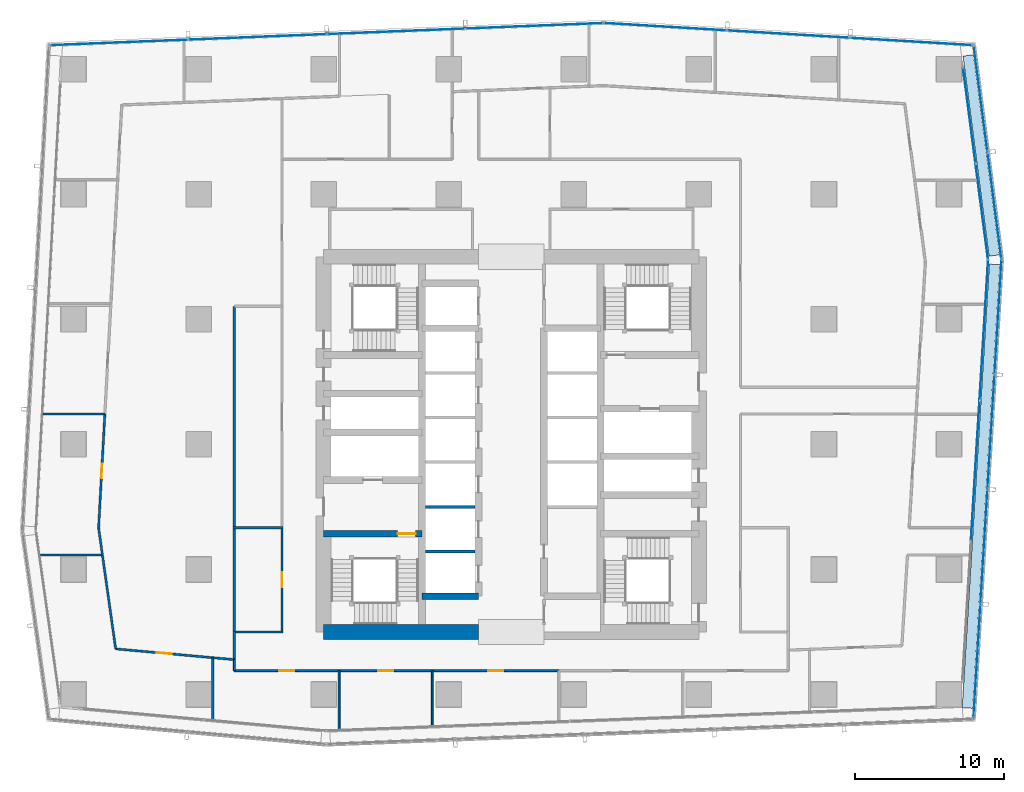
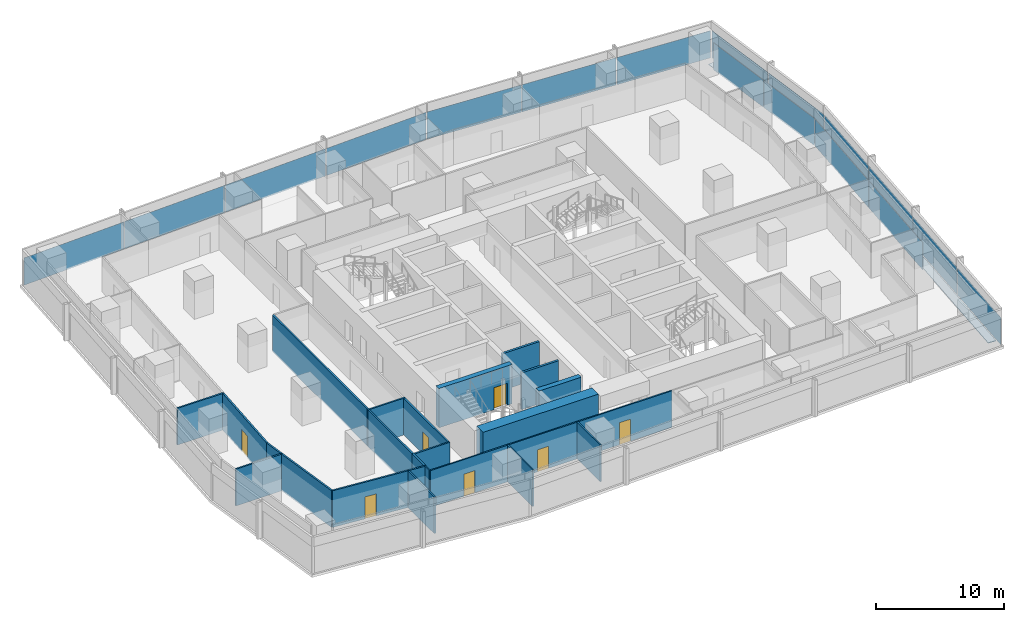
# One storey, part 28 of 40: 25 walls, 19 plates, 7 doors, 7 openings, 6 elements without a shape of their own.
"""IFC4 building model written with IfcOpenShell, lengths in metres."""

from ifc_helpers import new_model, si_unit, direction, frame, frame_2d, origin, origin_2d, place, context, subcontext, project, spatial, rectangle, extrude, material, layer, layer_set, type_object, element, fill, aggregate, save


model = new_model("IFC4")

# Units and contexts
model_context = context("Model", 3, precision=1e-05, world=origin(), true_north=direction((0.0, 1.0)))
body_context = subcontext(model_context, "Body", "Model", "MODEL_VIEW")
ifc_project = project(units=[si_unit("LENGTHUNIT", "METRE"), si_unit("AREAUNIT", "SQUARE_METRE"), si_unit("VOLUMEUNIT", "CUBIC_METRE"), si_unit("PLANEANGLEUNIT", "RADIAN"), si_unit("MASSUNIT", "GRAM", prefix="KILO")], contexts=[model_context])

# Site, building, storey
site_placement = place(None, origin())
site = spatial("IfcSite", under=ifc_project, at=site_placement, CompositionType="ELEMENT")
building_placement = place(site_placement, origin())
building = spatial("IfcBuilding", under=site, at=building_placement, Name="Rekha Terrace Tower", CompositionType="ELEMENT")
storey_placement = place(building_placement, frame((0.0, 0.0, 125.300048828125)))
storey = spatial("IfcBuildingStorey", under=building, at=storey_placement, Name="L31", CompositionType="ELEMENT", Elevation=125.300048828125)

# Curtain wall, plates
ifc_material_1 = material(Name="Aluminium framing", Category="aluminium")
curtain_wall_type_1 = type_object("IfcCurtainWallType", Name="CW1 double skin inner glazing", PredefinedType="USERDEFINED", material=ifc_material_1)
curtain_wall_1_placement = place(storey_placement, origin())
curtain_wall_1 = element("IfcCurtainWall", 1, at=curtain_wall_1_placement, inside=storey, type_object=curtain_wall_type_1, Name="CW1 double skin inner glazing", ObjectType="DOUBLE SKIN INNER GLAZING", PredefinedType="USERDEFINED")
ifc_material_2 = material(Name="Double-glazed low-e unit 32", Category="glass")
ifc_layer_1 = layer(ifc_material_2, 0.031982421875)
ifc_layer_set_1 = layer_set([ifc_layer_1], Name="Double-glazed low-e unit 32")
plate_type_1 = type_object("IfcPlateType", Name="CW1 jumbo vision panel, double-glazed low-e unit 32", PredefinedType="CURTAIN_PANEL", material=ifc_layer_set_1)
plate_1_placement = place(storey_placement, frame((68.968505859375, 31.8193359375, 0.0), z_axis=(0.0, 0.0, 1.0), x_axis=(0.061159803131, 0.998127987024, 0.0)))
plate_1 = element("IfcPlate", 2, at=plate_1_placement, type_object=plate_type_1, Name="CW1 panel 2.1", PredefinedType="CURTAIN_PANEL", context=body_context, shape_type="SweptSolid", body=[
    extrude(rectangle(XDim=9.3876953125, YDim=0.031982421875, at=origin_2d()), origin(), (0.0, 0.0, 1.0), 2.60009765625),
])
plate_2_placement = place(storey_placement, frame((69.547607421875, 41.2705078125, 0.0), z_axis=(0.0, 0.0, 1.0), x_axis=(0.061159803131, 0.998127987024, 0.0)))
plate_2 = element("IfcPlate", 3, at=plate_2_placement, type_object=plate_type_1, Name="CW1 panel 3.1", PredefinedType="CURTAIN_PANEL", context=body_context, shape_type="SweptSolid", body=[
    extrude(rectangle(XDim=9.420166015625, YDim=0.031982421875, at=origin_2d()), origin(), (0.0, 0.0, 1.0), 2.60009765625),
])
aggregate(curtain_wall_1, [plate_1, plate_2])

curtain_wall_2_placement = place(storey_placement, origin())
curtain_wall_2 = element("IfcCurtainWall", 4, at=curtain_wall_2_placement, inside=storey, type_object=curtain_wall_type_1, Name="CW1 double skin inner glazing", ObjectType="DOUBLE SKIN INNER GLAZING", PredefinedType="USERDEFINED")
plate_3_placement = place(storey_placement, frame((69.411376953125, 49.230712890625, 0.0), z_axis=(0.0, 0.0, 1.0), x_axis=(-0.129118383675, 0.991629186237, 0.0)))
plate_3 = element("IfcPlate", 5, at=plate_3_placement, type_object=plate_type_1, Name="CW1 panel 1.1", PredefinedType="CURTAIN_PANEL", context=body_context, shape_type="SweptSolid", body=[
    extrude(rectangle(XDim=6.443115234375, YDim=0.031982421875, at=origin_2d()), origin(), (0.0, 0.0, 1.0), 2.60009765625),
])
plate_4_placement = place(storey_placement, frame((68.571044921875, 55.68408203125, 0.0), z_axis=(0.0, 0.0, 1.0), x_axis=(-0.129118383675, 0.991629186237, 0.0)))
plate_4 = element("IfcPlate", 6, at=plate_4_placement, type_object=plate_type_1, Name="CW1 panel 2.1", PredefinedType="CURTAIN_PANEL", context=body_context, shape_type="SweptSolid", body=[
    extrude(rectangle(XDim=6.443115234375, YDim=0.031982421875, at=origin_2d()), origin(), (0.0, 0.0, 1.0), 2.60009765625),
])
aggregate(curtain_wall_2, [plate_3, plate_4])

curtain_wall_type_2 = type_object("IfcCurtainWallType", Name="CW2 double skin outer glazing", PredefinedType="USERDEFINED", material=ifc_material_1)
curtain_wall_3_placement = place(storey_placement, origin())
curtain_wall_3 = element("IfcCurtainWall", 7, at=curtain_wall_3_placement, inside=storey, type_object=curtain_wall_type_2, Name="CW2 double skin outer glazing", ObjectType="DOUBLE SKIN OUTER GLAZING", PredefinedType="USERDEFINED")
ifc_material_3 = material(Name="Toughened single glazing 12", Category="glass")
ifc_layer_2 = layer(ifc_material_3, 0.011962890625)
ifc_layer_set_2 = layer_set([ifc_layer_2], Name="Toughened single glazing 12")
plate_type_2 = type_object("IfcPlateType", Name="CW2 jumbo vision panel, toughened single glazing 12", PredefinedType="CURTAIN_PANEL", material=ifc_layer_set_2)
plate_5_placement = place(storey_placement, frame((69.086669921875, 19.0302734375, 0.0), z_axis=(0.0, 0.0, 1.0), x_axis=(0.061159803131, 0.998127987024, 0.0)))
plate_5 = element("IfcPlate", 8, at=plate_5_placement, type_object=plate_type_2, Name="CW2 panel 1.1", PredefinedType="CURTAIN_PANEL", context=body_context, shape_type="SweptSolid", body=[
    extrude(rectangle(XDim=7.6064453125, YDim=0.011962890625, at=origin_2d()), origin(), (0.0, 0.0, 1.0), 2.60009765625),
])
plate_6_placement = place(storey_placement, frame((69.557861328125, 26.722412109375, 0.0), z_axis=(0.0, 0.0, 1.0), x_axis=(0.061159803131, 0.998127987024, 0.0)))
plate_6 = element("IfcPlate", 9, at=plate_6_placement, type_object=plate_type_2, Name="CW2 panel 2.1", PredefinedType="CURTAIN_PANEL", context=body_context, shape_type="SweptSolid", body=[
    extrude(rectangle(XDim=7.646484375, YDim=0.011962890625, at=origin_2d()), origin(), (0.0, 0.0, 1.0), 2.60009765625),
])
plate_7_placement = place(storey_placement, frame((70.030517578125, 34.434326171875, 0.0), z_axis=(0.0, 0.0, 1.0), x_axis=(0.061159803131, 0.998127987024, 0.0)))
plate_7 = element("IfcPlate", 10, at=plate_7_placement, type_object=plate_type_2, Name="CW2 panel 3.1", PredefinedType="CURTAIN_PANEL", context=body_context, shape_type="SweptSolid", body=[
    extrude(rectangle(XDim=7.646484375, YDim=0.011962890625, at=origin_2d()), origin(), (0.0, 0.0, 1.0), 2.60009765625),
])
plate_8_placement = place(storey_placement, frame((70.50439453125, 42.16650390625, 0.0), z_axis=(0.0, 0.0, 1.0), x_axis=(0.061159803131, 0.998127987024, 0.0)))
plate_8 = element("IfcPlate", 11, at=plate_8_placement, type_object=plate_type_2, Name="CW2 panel 4.1", PredefinedType="CURTAIN_PANEL", context=body_context, shape_type="SweptSolid", body=[
    extrude(rectangle(XDim=7.6865234375, YDim=0.011962890625, at=origin_2d()), origin(), (0.0, 0.0, 1.0), 2.60009765625),
])
aggregate(curtain_wall_3, [plate_5, plate_6, plate_7, plate_8])

curtain_wall_4_placement = place(storey_placement, origin())
curtain_wall_4 = element("IfcCurtainWall", 12, at=curtain_wall_4_placement, inside=storey, type_object=curtain_wall_type_2, Name="CW2 double skin outer glazing", ObjectType="DOUBLE SKIN OUTER GLAZING", PredefinedType="USERDEFINED")
plate_9_placement = place(storey_placement, frame((70.2666015625, 49.6337890625, 0.0), z_axis=(0.0, 0.0, 1.0), x_axis=(-0.129118383623, 0.991629186244, 0.0)))
plate_9 = element("IfcPlate", 13, at=plate_9_placement, type_object=plate_type_2, Name="CW2 panel 1.1", PredefinedType="CURTAIN_PANEL", context=body_context, shape_type="SweptSolid", body=[
    extrude(rectangle(XDim=7.163818359375, YDim=0.011962890625, at=origin_2d()), origin(), (0.0, 0.0, 1.0), 2.60009765625),
])
plate_10_placement = place(storey_placement, frame((69.331298828125, 56.81689453125, 0.0), z_axis=(0.0, 0.0, 1.0), x_axis=(-0.129118383623, 0.991629186244, 0.0)))
plate_10 = element("IfcPlate", 14, at=plate_10_placement, type_object=plate_type_2, Name="CW2 panel 2.1", PredefinedType="CURTAIN_PANEL", context=body_context, shape_type="SweptSolid", body=[
    extrude(rectangle(XDim=7.163818359375, YDim=0.011962890625, at=origin_2d()), origin(), (0.0, 0.0, 1.0), 2.60009765625),
])
aggregate(curtain_wall_4, [plate_9, plate_10])

curtain_wall_type_3 = type_object("IfcCurtainWallType", Name="CW3 north unitised glazing", PredefinedType="USERDEFINED", material=ifc_material_1)
curtain_wall_5_placement = place(storey_placement, origin())
curtain_wall_5 = element("IfcCurtainWall", 15, at=curtain_wall_5_placement, inside=storey, type_object=curtain_wall_type_3, Name="CW3 unitised curtain wall", ObjectType="UNITISED CURTAIN WALL", PredefinedType="USERDEFINED")
ifc_material_4 = material(Name="Double-glazed unit 28", Category="glass")
ifc_layer_3 = layer(ifc_material_4, 0.028076171875)
ifc_layer_set_3 = layer_set([ifc_layer_3], Name="Double-glazed unit 28")
plate_type_3 = type_object("IfcPlateType", Name="CW3 jumbo vision panel, double-glazed unit 28", PredefinedType="CURTAIN_PANEL", material=ifc_layer_set_3)
plate_11_placement = place(storey_placement, frame((64.6748046875, 60.65966796875, 0.0), z_axis=(0.0, 0.0, 1.0), x_axis=(-0.998199102701, 0.059987926837, 0.0)))
plate_11 = element("IfcPlate", 16, at=plate_11_placement, type_object=plate_type_3, Name="CW3 panel 1.1", PredefinedType="CURTAIN_PANEL", context=body_context, shape_type="SweptSolid", body=[
    extrude(rectangle(XDim=8.171630859375, YDim=0.028076171875, at=origin_2d()), origin(), (0.0, 0.0, 1.0), 2.60009765625),
])
plate_12_placement = place(storey_placement, frame((56.430419921875, 61.155029296875, 0.0), z_axis=(0.0, 0.0, 1.0), x_axis=(-0.998199102701, 0.059987926837, 0.0)))
plate_12 = element("IfcPlate", 17, at=plate_12_placement, type_object=plate_type_3, Name="CW3 panel 2.1", PredefinedType="CURTAIN_PANEL", context=body_context, shape_type="SweptSolid", body=[
    extrude(rectangle(XDim=8.20654296875, YDim=0.028076171875, at=origin_2d()), origin(), (0.0, 0.0, 1.0), 2.60009765625),
])
plate_13_placement = place(storey_placement, frame((48.1513671875, 61.652587890625, 0.0), z_axis=(0.0, 0.0, 1.0), x_axis=(-0.998199102701, 0.059987926837, 0.0)))
plate_13 = element("IfcPlate", 18, at=plate_13_placement, type_object=plate_type_3, Name="CW3 panel 3.1", PredefinedType="CURTAIN_PANEL", context=body_context, shape_type="SweptSolid", body=[
    extrude(rectangle(XDim=8.24169921875, YDim=0.028076171875, at=origin_2d()), origin(), (0.0, 0.0, 1.0), 2.60009765625),
])
aggregate(curtain_wall_5, [plate_11, plate_12, plate_13])

curtain_wall_6_placement = place(storey_placement, origin())
curtain_wall_6 = element("IfcCurtainWall", 19, at=curtain_wall_6_placement, inside=storey, type_object=curtain_wall_type_3, Name="CW3 unitised curtain wall", ObjectType="UNITISED CURTAIN WALL", PredefinedType="USERDEFINED")
plate_14_placement = place(storey_placement, frame((39.364501953125, 61.71240234375, 0.0), z_axis=(0.0, 0.0, 1.0), x_axis=(-0.999198398721, -0.040031987119, 0.0)))
plate_14 = element("IfcPlate", 20, at=plate_14_placement, type_object=plate_type_3, Name="CW3 panel 1.1", PredefinedType="CURTAIN_PANEL", context=body_context, shape_type="SweptSolid", body=[
    extrude(rectangle(XDim=9.214599609375, YDim=0.028076171875, at=origin_2d()), origin(), (0.0, 0.0, 1.0), 2.60009765625),
])
plate_15_placement = place(storey_placement, frame((30.06982421875, 61.340087890625, 0.0), z_axis=(0.0, 0.0, 1.0), x_axis=(-0.999198398721, -0.040031987119, 0.0)))
plate_15 = element("IfcPlate", 21, at=plate_15_placement, type_object=plate_type_3, Name="CW3 panel 2.1", PredefinedType="CURTAIN_PANEL", context=body_context, shape_type="SweptSolid", body=[
    extrude(rectangle(XDim=9.24951171875, YDim=0.028076171875, at=origin_2d()), origin(), (0.0, 0.0, 1.0), 2.60009765625),
])
plate_16_placement = place(storey_placement, frame((20.7578125, 60.967041015625, 0.0), z_axis=(0.0, 0.0, 1.0), x_axis=(-0.999198398721, -0.040031987119, 0.0)))
plate_16 = element("IfcPlate", 22, at=plate_16_placement, type_object=plate_type_3, Name="CW3 panel 3.1", PredefinedType="CURTAIN_PANEL", context=body_context, shape_type="SweptSolid", body=[
    extrude(rectangle(XDim=9.24951171875, YDim=0.028076171875, at=origin_2d()), origin(), (0.0, 0.0, 1.0), 2.60009765625),
])
plate_17_placement = place(storey_placement, frame((11.46337890625, 60.5947265625, 0.0), z_axis=(0.0, 0.0, 1.0), x_axis=(-0.999198398721, -0.040031987119, 0.0)))
plate_17 = element("IfcPlate", 23, at=plate_17_placement, type_object=plate_type_3, Name="CW3 panel 4.1", PredefinedType="CURTAIN_PANEL", context=body_context, shape_type="SweptSolid", body=[
    extrude(rectangle(XDim=9.214599609375, YDim=0.028076171875, at=origin_2d()), origin(), (0.0, 0.0, 1.0), 2.60009765625),
])
aggregate(curtain_wall_6, [plate_14, plate_15, plate_16, plate_17])

# Plates
ifc_material_5 = material(Name="Galvanised steel open grating", Category="steel")
ifc_layer_4 = layer(ifc_material_5, 0.050048828125)
ifc_layer_set_4 = layer_set([ifc_layer_4], Name="Galvanised steel open grating")
plate_type_4 = type_object("IfcPlateType", Name="GT1 cavity walkway grating 50", PredefinedType="USERDEFINED", material=ifc_layer_set_4)
plate_18_placement = place(storey_placement, frame((69.356201171875, 30.78759765625, 0.0), z_axis=(0.0, 0.0, 1.0), x_axis=(0.061159803131, 0.998127987024, 0.0)))
element("IfcPlate", 24, at=plate_18_placement, inside=storey, type_object=plate_type_4, Name="Cavity walkway grating", ObjectType="CAVITY WALKWAY GRATING", PredefinedType="USERDEFINED", context=body_context, shape_type="SweptSolid", body=[
    extrude(rectangle(XDim=29.85595703125, YDim=0.705078125, at=origin_2d()), origin(), (0.0, 0.0, 1.0), 0.050048828125),
])
plate_19_placement = place(storey_placement, frame((69.373779296875, 53.004150390625, 0.0), z_axis=(0.0, 0.0, 1.0), x_axis=(-0.129118383623, 0.991629186244, 0.0)))
element("IfcPlate", 25, at=plate_19_placement, inside=storey, type_object=plate_type_4, Name="Cavity walkway grating", ObjectType="CAVITY WALKWAY GRATING", PredefinedType="USERDEFINED", context=body_context, shape_type="SweptSolid", body=[
    extrude(rectangle(XDim=13.552734375, YDim=0.705078125, at=origin_2d()), origin(), (0.0, 0.0, 1.0), 0.050048828125),
])

# Wall
ifc_material_6 = material(Name="Concrete M70", Category="concrete")
ifc_layer_5 = layer(ifc_material_6, 0.449951171875)
ifc_layer_set_5 = layer_set([ifc_layer_5], Name="Concrete M70")
wall_type_1 = type_object("IfcWallType", Name="CI2 450 core internal shear wall", PredefinedType="SHEAR", material=ifc_layer_set_5)
wall_1_placement = place(storey_placement, frame((31.800048828125, 23.39990234375, 0.0), z_axis=(0.0, 0.0, 1.0), x_axis=(1.0, 0.0, 0.0)))
element("IfcWall", 26, at=wall_1_placement, inside=storey, type_object=wall_type_1, Name="Core wall Y234W L31", PredefinedType="SHEAR", context=body_context, shape_type="SweptSolid", body=[
    extrude(rectangle(XDim=3.800048828125, YDim=0.449951171875, at=frame_2d((1.89990234375, 0.0))), origin(), (0.0, 0.0, 1.0), 3.75),
])

# Wall, opening, door
wall_2_placement = place(storey_placement, frame((25.199951171875, 27.60009765625, 0.0), z_axis=(0.0, 0.0, 1.0), x_axis=(1.0, 0.0, 0.0)))
wall_2 = element("IfcWall", 27, at=wall_2_placement, inside=storey, type_object=wall_type_1, Name="Core wall Y276W L31", PredefinedType="SHEAR", context=body_context, shape_type="SweptSolid", body=[
    extrude(rectangle(XDim=6.60009765625, YDim=0.449951171875, at=frame_2d((3.300048828125, 0.0))), origin(), (0.0, 0.0, 1.0), 3.75),
])
opening_1_placement = place(wall_2_placement, frame((4.97509765625, 0.0, 0.0)))
opening_1 = element("IfcOpeningElement", 28, at=opening_1_placement, cuts=wall_2, Name="Opening D1", PredefinedType="OPENING", context=body_context, shape_type="SweptSolid", body=[
    extrude(rectangle(XDim=1.199951171875, YDim=2.10009765625, at=frame_2d((0.60009765625, 1.050048828125))), frame((0.0, 0.23486328125, 0.0), z_axis=(0.0, -1.0, 0.0), x_axis=(1.0, 0.0, 0.0)), (0.0, 0.0, 1.0), 0.469970703125),
])
ifc_material_7 = material(Name="Steel fire door", Category="steel")
door_type_1 = type_object("IfcDoorType", Name="D1 1200x2100 stair fire door", OperationType="SINGLE_SWING_RIGHT", PredefinedType="DOOR", material=ifc_material_7)
door_1_placement = place(opening_1_placement, origin())
door_1 = element("IfcDoor", 29, at=door_1_placement, inside=storey, type_object=door_type_1, Name="Stair ST1 door L31", OperationType="SINGLE_SWING_RIGHT", OverallHeight=2.10009765625, OverallWidth=1.199951171875, PredefinedType="DOOR", context=body_context, shape_type="SweptSolid", body=[
    extrude(rectangle(XDim=1.199951171875, YDim=2.10009765625, at=frame_2d((0.60009765625, 1.050048828125))), frame((0.0, 0.02490234375, 0.0), z_axis=(0.0, -1.0, 0.0), x_axis=(1.0, 0.0, 0.0)), (0.0, 0.0, 1.0), 0.050048828125),
])
fill(opening_1, door_1)

# Walls
ifc_layer_6 = layer(ifc_material_6, 1.0)
ifc_layer_set_6 = layer_set([ifc_layer_6], Name="Concrete M70")
wall_type_2 = type_object("IfcWallType", Name="SW2 1000 core outer shear wall", PredefinedType="SHEAR", material=ifc_layer_set_6)
wall_3_placement = place(storey_placement, frame((25.199951171875, 21.0, 0.0), z_axis=(0.0, 0.0, 1.0), x_axis=(1.0, 0.0, 0.0)))
element("IfcWall", 30, at=wall_3_placement, inside=storey, type_object=wall_type_2, Name="Core wall S1 L31", PredefinedType="SHEAR", context=body_context, shape_type="SweptSolid", body=[
    extrude(rectangle(XDim=10.400146484375, YDim=1.0, at=frame_2d((5.2001953125, 0.0))), origin(), (0.0, 0.0, 1.0), 3.75),
])
ifc_material_8 = material(Name="Concrete block masonry, 1 hour", Category="masonry")
ifc_layer_7 = layer(ifc_material_8, 0.14990234375)
ifc_layer_set_7 = layer_set([ifc_layer_7], Name="Concrete block masonry, 1 hour")
wall_type_3 = type_object("IfcWallType", Name="WP2 150 tenancy partition", PredefinedType="PARTITIONING", material=ifc_layer_set_7)
for number, where, z_axis, x_axis, name in (
    (31, (19.125, 21.0, 0.0), (0.0, 0.0, 1.0), (1.0, 0.0, 0.0), "Men's WC wall L31"),
    (32, (19.125, 28.0, 0.0), (0.0, 0.0, 1.0), (1.0, 0.0, 0.0), "Men's WC wall L31"),
):
    element("IfcWall", number, at=place(storey_placement, frame(where, z_axis=z_axis, x_axis=x_axis)), inside=storey, type_object=wall_type_3, Name=name, PredefinedType="PARTITIONING", context=body_context, shape_type="SweptSolid", body=[
        extrude(rectangle(XDim=3.35009765625, YDim=0.14990234375, at=frame_2d((1.675048828125, 0.0))), origin(), (0.0, 0.0, 1.0), 3.5),
    ])
wall_4_placement = place(storey_placement, frame((19.199951171875, 21.074951171875, 0.0), z_axis=(0.0, 0.0, 1.0), x_axis=(0.0, 1.0, 0.0)))
element("IfcWall", 33, at=wall_4_placement, inside=storey, type_object=wall_type_3, Name="Men's WC wall L31", PredefinedType="PARTITIONING", context=body_context, shape_type="SweptSolid", body=[
    extrude(rectangle(XDim=6.85009765625, YDim=0.14990234375, at=frame_2d((3.425048828125, 0.0))), origin(), (0.0, 0.0, 1.0), 3.5),
])

# Wall, opening, door
wall_5_placement = place(storey_placement, frame((22.39990234375, 21.074951171875, 0.0), z_axis=(0.0, 0.0, 1.0), x_axis=(0.0, 1.0, 0.0)))
wall_5 = element("IfcWall", 34, at=wall_5_placement, inside=storey, type_object=wall_type_3, Name="Men's WC wall L31", PredefinedType="PARTITIONING", context=body_context, shape_type="SweptSolid", body=[
    extrude(rectangle(XDim=6.85009765625, YDim=0.14990234375, at=frame_2d((3.425048828125, 0.0))), origin(), (0.0, 0.0, 1.0), 3.5),
])
opening_2_placement = place(wall_5_placement, frame((2.925048828125, 0.0, 0.0)))
opening_2 = element("IfcOpeningElement", 35, at=opening_2_placement, cuts=wall_5, Name="Opening D3", PredefinedType="OPENING", context=body_context, shape_type="SweptSolid", body=[
    extrude(rectangle(XDim=1.0, YDim=2.10009765625, at=frame_2d((0.5, 1.050048828125))), frame((0.0, 0.0849609375, 0.0), z_axis=(0.0, -1.0, 0.0), x_axis=(1.0, 0.0, 0.0)), (0.0, 0.0, 1.0), 0.169921875),
])
ifc_material_9 = material(Name="Laminated timber fire door", Category="wood")
door_type_2 = type_object("IfcDoorType", Name="D3 1000x2100 WC door", OperationType="SINGLE_SWING_LEFT", PredefinedType="DOOR", material=ifc_material_9)
door_2_placement = place(opening_2_placement, origin())
door_2 = element("IfcDoor", 36, at=door_2_placement, inside=storey, type_object=door_type_2, Name="Door men's wc L31", OperationType="SINGLE_SWING_LEFT", OverallHeight=2.10009765625, OverallWidth=1.0, PredefinedType="DOOR", context=body_context, shape_type="SweptSolid", body=[
    extrude(rectangle(XDim=1.0, YDim=2.10009765625, at=frame_2d((0.5, 1.050048828125))), frame((0.0, 0.02490234375, 0.0), z_axis=(0.0, -1.0, 0.0), x_axis=(1.0, 0.0, 0.0)), (0.0, 0.0, 1.0), 0.050048828125),
])
fill(opening_2, door_2)

# Walls
wall_6_placement = place(storey_placement, frame((19.199951171875, 42.873046875, 0.0), z_axis=(0.0, 0.0, 1.0), x_axis=(0.0, -1.0, 0.0)))
element("IfcWall", 37, at=wall_6_placement, inside=storey, type_object=wall_type_3, Name="Partition L31-O1c", PredefinedType="PARTITIONING", context=body_context, shape_type="SweptSolid", body=[
    extrude(rectangle(XDim=14.947998046875, YDim=0.14990234375, at=frame_2d((7.47412109375, 0.0))), origin(), (0.0, 0.0, 1.0), 3.5),
])
wall_7_placement = place(storey_placement, frame((19.199951171875, 21.074951171875, 0.0), z_axis=(0.0, 0.0, 1.0), x_axis=(0.0, -1.0, 0.0)))
element("IfcWall", 38, at=wall_7_placement, inside=storey, type_object=wall_type_3, Name="Partition L31-O1c", PredefinedType="PARTITIONING", context=body_context, shape_type="SweptSolid", body=[
    extrude(rectangle(XDim=1.93701171875, YDim=0.14990234375, at=frame_2d((0.968505859375, 0.0))), origin(), (0.0, 0.0, 1.0), 3.5),
])
wall_8_placement = place(storey_placement, frame((19.199951171875, 19.137939453125, 0.0), z_axis=(0.0, 0.0, 1.0), x_axis=(-0.995920706464, 0.090232734836, 0.0)))
element("IfcWall", 39, at=wall_8_placement, inside=storey, type_object=wall_type_3, Name="Partition L31-O1c", PredefinedType="PARTITIONING", context=body_context, shape_type="SweptSolid", body=[
    extrude(rectangle(XDim=1.452880859375, YDim=0.14990234375, at=frame_2d((0.7265625, 0.0))), origin(), (0.0, 0.0, 1.0), 3.5),
])
wall_9_placement = place(storey_placement, frame((17.7529296875, 19.26904296875, 0.0), z_axis=(0.0, 0.0, 1.0), x_axis=(0.0, -1.0, 0.0)))
element("IfcWall", 40, at=wall_9_placement, inside=storey, type_object=wall_type_3, Name="Partition L31-O1c", PredefinedType="PARTITIONING", context=body_context, shape_type="SweptSolid", body=[
    extrude(rectangle(XDim=4.1669921875, YDim=0.14990234375, at=frame_2d((2.08349609375, 0.0))), origin(), (0.0, 0.0, 1.0), 3.5),
])

# Wall, opening, door
wall_10_placement = place(storey_placement, frame((17.751953125, 19.26904296875, 0.0), z_axis=(0.0, 0.0, 1.0), x_axis=(-0.995896565077, 0.090498793736, 0.0)))
wall_10 = element("IfcWall", 41, at=wall_10_placement, inside=storey, type_object=wall_type_3, Name="Partition L31-O1c", PredefinedType="PARTITIONING", context=body_context, shape_type="SweptSolid", body=[
    extrude(rectangle(XDim=6.552734375, YDim=0.14990234375, at=frame_2d((3.2763671875, 0.0))), origin(), (0.0, 0.0, 1.0), 3.5),
])
opening_3_placement = place(wall_10_placement, frame((2.77587890625, 0.0, 0.0)))
opening_3 = element("IfcOpeningElement", 42, at=opening_3_placement, cuts=wall_10, Name="Opening D9", PredefinedType="OPENING", context=body_context, shape_type="SweptSolid", body=[
    extrude(rectangle(XDim=1.0, YDim=2.10009765625, at=frame_2d((0.5, 1.050048828125))), frame((0.0, 0.0849609375, 0.0), z_axis=(0.0, -1.0, 0.0), x_axis=(1.0, 0.0, 0.0)), (0.0, 0.0, 1.0), 0.169921875),
])
ifc_material_10 = material(Name="Timber fire door", Category="wood")
door_type_3 = type_object("IfcDoorType", Name="D9 1000x2100 office door", OperationType="SINGLE_SWING_LEFT", PredefinedType="DOOR", material=ifc_material_10)
door_3_placement = place(opening_3_placement, origin())
door_3 = element("IfcDoor", 43, at=door_3_placement, inside=storey, type_object=door_type_3, Name="Door director's office L31", OperationType="SINGLE_SWING_LEFT", OverallHeight=2.10009765625, OverallWidth=1.0, PredefinedType="DOOR", context=body_context, shape_type="SweptSolid", body=[
    extrude(rectangle(XDim=1.0, YDim=2.10009765625, at=frame_2d((0.5, 1.050048828125))), frame((0.0, 0.02490234375, 0.0), z_axis=(0.0, -1.0, 0.0), x_axis=(1.0, 0.0, 0.0)), (0.0, 0.0, 1.0), 0.050048828125),
])
fill(opening_3, door_3)

# Walls
wall_11_placement = place(storey_placement, frame((11.22607421875, 19.862060546875, 0.0), z_axis=(0.0, 0.0, 1.0), x_axis=(-0.13959860056, 0.990208175447, 0.0)))
element("IfcWall", 44, at=wall_11_placement, inside=storey, type_object=wall_type_3, Name="Partition L31-O1c", PredefinedType="PARTITIONING", context=body_context, shape_type="SweptSolid", body=[
    extrude(rectangle(XDim=6.37646484375, YDim=0.14990234375, at=frame_2d((3.188232421875, 0.0))), origin(), (0.0, 0.0, 1.0), 3.5),
])
wall_12_placement = place(storey_placement, frame((10.3359375, 26.176025390625, 0.0), z_axis=(0.0, 0.0, 1.0), x_axis=(-1.0, 0.0, 0.0)))
element("IfcWall", 45, at=wall_12_placement, inside=storey, type_object=wall_type_3, Name="Partition L31-O1c", PredefinedType="PARTITIONING", context=body_context, shape_type="SweptSolid", body=[
    extrude(rectangle(XDim=4.19091796875, YDim=0.14990234375, at=frame_2d((2.095458984375, 0.0))), origin(), (0.0, 0.0, 1.0), 3.5),
])
wall_13_placement = place(storey_placement, frame((10.3359375, 26.177001953125, 0.0), z_axis=(0.0, 0.0, 1.0), x_axis=(-0.139520002301, 0.990219252973, 0.0)))
element("IfcWall", 46, at=wall_13_placement, inside=storey, type_object=wall_type_3, Name="Partition L31-O1c", PredefinedType="PARTITIONING", context=body_context, shape_type="SweptSolid", body=[
    extrude(rectangle(XDim=1.833740234375, YDim=0.14990234375, at=frame_2d((0.9169921875, 0.0))), origin(), (0.0, 0.0, 1.0), 3.5),
])

# Wall, opening, door
wall_14_placement = place(storey_placement, frame((10.080078125, 27.992919921875, 0.0), z_axis=(0.0, 0.0, 1.0), x_axis=(0.054745561338, 0.998500337263, 0.0)))
wall_14 = element("IfcWall", 47, at=wall_14_placement, inside=storey, type_object=wall_type_3, Name="Partition L31-O1c", PredefinedType="PARTITIONING", context=body_context, shape_type="SweptSolid", body=[
    extrude(rectangle(XDim=7.652587890625, YDim=0.14990234375, at=frame_2d((3.826171875, 0.0))), origin(), (0.0, 0.0, 1.0), 3.5),
])
opening_4_placement = place(wall_14_placement, frame((3.325927734375, 0.0, 0.0)))
opening_4 = element("IfcOpeningElement", 48, at=opening_4_placement, cuts=wall_14, Name="Opening D9", PredefinedType="OPENING", context=body_context, shape_type="SweptSolid", body=[
    extrude(rectangle(XDim=1.0, YDim=2.10009765625, at=frame_2d((0.5, 1.050048828125))), frame((0.0, 0.0849609375, 0.0), z_axis=(0.0, -1.0, 0.0), x_axis=(1.0, 0.0, 0.0)), (0.0, 0.0, 1.0), 0.169921875),
])
door_4_placement = place(opening_4_placement, origin())
door_4 = element("IfcDoor", 49, at=door_4_placement, inside=storey, type_object=door_type_3, Name="Door wellness room L31", OperationType="SINGLE_SWING_LEFT", OverallHeight=2.10009765625, OverallWidth=1.0, PredefinedType="DOOR", context=body_context, shape_type="SweptSolid", body=[
    extrude(rectangle(XDim=1.0, YDim=2.10009765625, at=frame_2d((0.5, 1.050048828125))), frame((0.0, 0.02490234375, 0.0), z_axis=(0.0, -1.0, 0.0), x_axis=(1.0, 0.0, 0.0)), (0.0, 0.0, 1.0), 0.050048828125),
])
fill(opening_4, door_4)

# Walls
wall_15_placement = place(storey_placement, frame((10.4990234375, 35.634033203125, 0.0), z_axis=(0.0, 0.0, 1.0), x_axis=(-1.0, 0.0, 0.0)))
element("IfcWall", 50, at=wall_15_placement, inside=storey, type_object=wall_type_3, Name="Partition L31-O1c", PredefinedType="PARTITIONING", context=body_context, shape_type="SweptSolid", body=[
    extrude(rectangle(XDim=4.156005859375, YDim=0.14990234375, at=frame_2d((2.078125, 0.0))), origin(), (0.0, 0.0, 1.0), 3.5),
])
ifc_material_11 = material(Name="Two layers of fire-rated gypsum board each side on steel studs, acoustic quilt, 1 hour", Category="steel")
ifc_layer_8 = layer(ifc_material_11, 0.125)
ifc_layer_set_8 = layer_set([ifc_layer_8], Name="Two layers of fire-rated gypsum board each side on steel studs, acoustic quilt, 1 hour")
wall_type_4 = type_object("IfcWallType", Name="WP3 125 office partition", PredefinedType="PARTITIONING", material=ifc_layer_set_8)
wall_16_placement = place(storey_placement, frame((19.199951171875, 19.137939453125, 0.0), z_axis=(0.0, 0.0, 1.0), x_axis=(0.0, -1.0, 0.0)))
element("IfcWall", 51, at=wall_16_placement, inside=storey, type_object=wall_type_4, Name="Partition L31-22", PredefinedType="PARTITIONING", context=body_context, shape_type="SweptSolid", body=[
    extrude(rectangle(XDim=0.738037109375, YDim=0.125, at=frame_2d((0.369140625, 0.0))), origin(), (0.0, 0.0, 1.0), 3.5),
])

# Wall, opening, door
wall_17_placement = place(storey_placement, frame((19.199951171875, 18.39990234375, 0.0), z_axis=(0.0, 0.0, 1.0), x_axis=(1.0, 0.0, 0.0)))
wall_17 = element("IfcWall", 52, at=wall_17_placement, inside=storey, type_object=wall_type_4, Name="Partition L31-22", PredefinedType="PARTITIONING", context=body_context, shape_type="SweptSolid", body=[
    extrude(rectangle(XDim=7.033935546875, YDim=0.125, at=frame_2d((3.51708984375, 0.0))), origin(), (0.0, 0.0, 1.0), 3.5),
])
opening_5_placement = place(wall_17_placement, frame((3.01708984375, 0.0, 0.0)))
opening_5 = element("IfcOpeningElement", 53, at=opening_5_placement, cuts=wall_17, Name="Opening D9", PredefinedType="OPENING", context=body_context, shape_type="SweptSolid", body=[
    extrude(rectangle(XDim=1.0, YDim=2.10009765625, at=frame_2d((0.5, 1.050048828125))), frame((0.0, 0.072509765625, 0.0), z_axis=(0.0, -1.0, 0.0), x_axis=(1.0, 0.0, 0.0)), (0.0, 0.0, 1.0), 0.14501953125),
])
door_5_placement = place(opening_5_placement, origin())
door_5 = element("IfcDoor", 54, at=door_5_placement, inside=storey, type_object=door_type_3, Name="Door office L31", OperationType="SINGLE_SWING_LEFT", OverallHeight=2.10009765625, OverallWidth=1.0, PredefinedType="DOOR", context=body_context, shape_type="SweptSolid", body=[
    extrude(rectangle(XDim=1.0, YDim=2.10009765625, at=frame_2d((0.5, 1.050048828125))), frame((0.0, 0.02490234375, 0.0), z_axis=(0.0, -1.0, 0.0), x_axis=(1.0, 0.0, 0.0)), (0.0, 0.0, 1.0), 0.050048828125),
])
fill(opening_5, door_5)

# Wall
wall_18_placement = place(storey_placement, frame((26.23388671875, 18.39990234375, 0.0), z_axis=(0.0, 0.0, 1.0), x_axis=(0.0, -1.0, 0.0)))
element("IfcWall", 55, at=wall_18_placement, inside=storey, type_object=wall_type_4, Name="Partition L31-22", PredefinedType="PARTITIONING", context=body_context, shape_type="SweptSolid", body=[
    extrude(rectangle(XDim=3.953857421875, YDim=0.125, at=frame_2d((1.97705078125, 0.0))), origin(), (0.0, 0.0, 1.0), 3.5),
])

# Wall, opening, door
wall_19_placement = place(storey_placement, frame((26.235107421875, 18.39990234375, 0.0), z_axis=(0.0, 0.0, 1.0), x_axis=(1.0, 0.0, 0.0)))
wall_19 = element("IfcWall", 56, at=wall_19_placement, inside=storey, type_object=wall_type_4, Name="Partition L31-23", PredefinedType="PARTITIONING", context=body_context, shape_type="SweptSolid", body=[
    extrude(rectangle(XDim=6.2587890625, YDim=0.125, at=frame_2d((3.12939453125, 0.0))), origin(), (0.0, 0.0, 1.0), 3.5),
])
opening_6_placement = place(wall_19_placement, frame((2.6298828125, 0.0, 0.0)))
opening_6 = element("IfcOpeningElement", 57, at=opening_6_placement, cuts=wall_19, Name="Opening D9", PredefinedType="OPENING", context=body_context, shape_type="SweptSolid", body=[
    extrude(rectangle(XDim=1.0, YDim=2.10009765625, at=frame_2d((0.5, 1.050048828125))), frame((0.0, 0.072509765625, 0.0), z_axis=(0.0, -1.0, 0.0), x_axis=(1.0, 0.0, 0.0)), (0.0, 0.0, 1.0), 0.14501953125),
])
door_6_placement = place(opening_6_placement, origin())
door_6 = element("IfcDoor", 58, at=door_6_placement, inside=storey, type_object=door_type_3, Name="Door reference library L31", OperationType="SINGLE_SWING_LEFT", OverallHeight=2.10009765625, OverallWidth=1.0, PredefinedType="DOOR", context=body_context, shape_type="SweptSolid", body=[
    extrude(rectangle(XDim=1.0, YDim=2.10009765625, at=frame_2d((0.5, 1.050048828125))), frame((0.0, 0.02490234375, 0.0), z_axis=(0.0, -1.0, 0.0), x_axis=(1.0, 0.0, 0.0)), (0.0, 0.0, 1.0), 0.050048828125),
])
fill(opening_6, door_6)

# Wall
wall_20_placement = place(storey_placement, frame((32.493896484375, 18.39990234375, 0.0), z_axis=(0.0, 0.0, 1.0), x_axis=(0.0, -1.0, 0.0)))
element("IfcWall", 59, at=wall_20_placement, inside=storey, type_object=wall_type_4, Name="Partition L31-23", PredefinedType="PARTITIONING", context=body_context, shape_type="SweptSolid", body=[
    extrude(rectangle(XDim=3.679931640625, YDim=0.125, at=frame_2d((1.83984375, 0.0))), origin(), (0.0, 0.0, 1.0), 3.5),
])

# Wall, opening, door
wall_21_placement = place(storey_placement, frame((32.4951171875, 18.39990234375, 0.0), z_axis=(0.0, 0.0, 1.0), x_axis=(1.0, 0.0, 0.0)))
wall_21 = element("IfcWall", 60, at=wall_21_placement, inside=storey, type_object=wall_type_4, Name="Partition L31-24", PredefinedType="PARTITIONING", context=body_context, shape_type="SweptSolid", body=[
    extrude(rectangle(XDim=8.505859375, YDim=0.125, at=frame_2d((4.2529296875, 0.0))), origin(), (0.0, 0.0, 1.0), 3.5),
])
opening_7_placement = place(wall_21_placement, frame((3.7529296875, 0.0, 0.0)))
opening_7 = element("IfcOpeningElement", 61, at=opening_7_placement, cuts=wall_21, Name="Opening D9", PredefinedType="OPENING", context=body_context, shape_type="SweptSolid", body=[
    extrude(rectangle(XDim=1.0, YDim=2.10009765625, at=frame_2d((0.5, 1.050048828125))), frame((0.0, 0.072509765625, 0.0), z_axis=(0.0, -1.0, 0.0), x_axis=(1.0, 0.0, 0.0)), (0.0, 0.0, 1.0), 0.14501953125),
])
door_7_placement = place(opening_7_placement, origin())
door_7 = element("IfcDoor", 62, at=door_7_placement, inside=storey, type_object=door_type_3, Name="Door breakout lounge L31", OperationType="SINGLE_SWING_LEFT", OverallHeight=2.10009765625, OverallWidth=1.0, PredefinedType="DOOR", context=body_context, shape_type="SweptSolid", body=[
    extrude(rectangle(XDim=1.0, YDim=2.10009765625, at=frame_2d((0.5, 1.050048828125))), frame((0.0, 0.02490234375, 0.0), z_axis=(0.0, -1.0, 0.0), x_axis=(1.0, 0.0, 0.0)), (0.0, 0.0, 1.0), 0.050048828125),
])
fill(opening_7, door_7)

# Walls
ifc_material_12 = material(Name="Solid concrete block masonry, 2 hour", Category="masonry")
ifc_layer_9 = layer(ifc_material_12, 0.199951171875)
ifc_layer_set_9 = layer_set([ifc_layer_9], Name="Solid concrete block masonry, 2 hour")
wall_type_5 = type_object("IfcWallType", Name="WS1 200 stair and shaft enclosure", PredefinedType="PARTITIONING", material=ifc_layer_set_9)
for number, where, z_axis, x_axis, name in (
    (63, (32.02490234375, 26.39990234375, 0.0), (0.0, 0.0, 1.0), (1.0, 0.0, 0.0), "Lift shaft divider L31"),
    (64, (32.02490234375, 29.39990234375, 0.0), (0.0, 0.0, 1.0), (1.0, 0.0, 0.0), "Lift shaft divider L31"),
):
    element("IfcWall", number, at=place(storey_placement, frame(where, z_axis=z_axis, x_axis=x_axis)), inside=storey, type_object=wall_type_5, Name=name, PredefinedType="PARTITIONING", context=body_context, shape_type="SweptSolid", body=[
        extrude(rectangle(XDim=3.35009765625, YDim=0.199951171875, at=frame_2d((1.675048828125, 0.0))), origin(), (0.0, 0.0, 1.0), 3.5),
    ])

save(model, "model.ifc")
